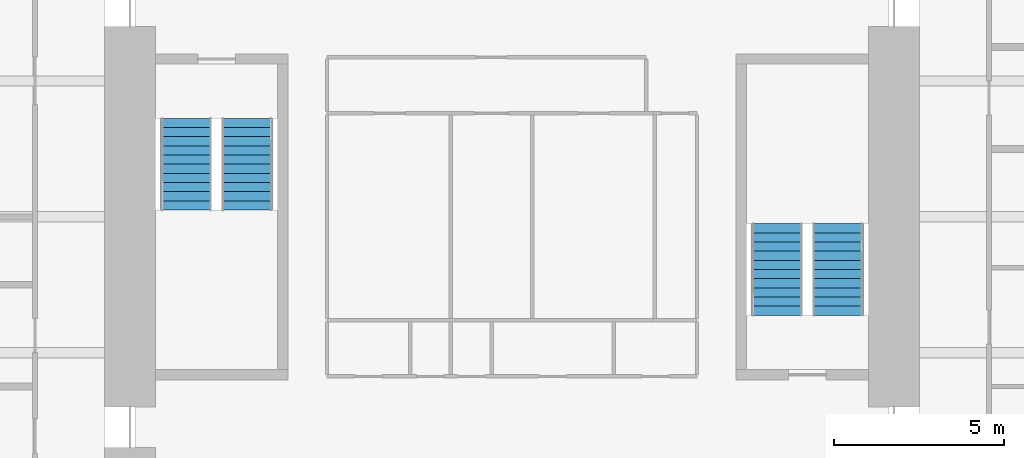
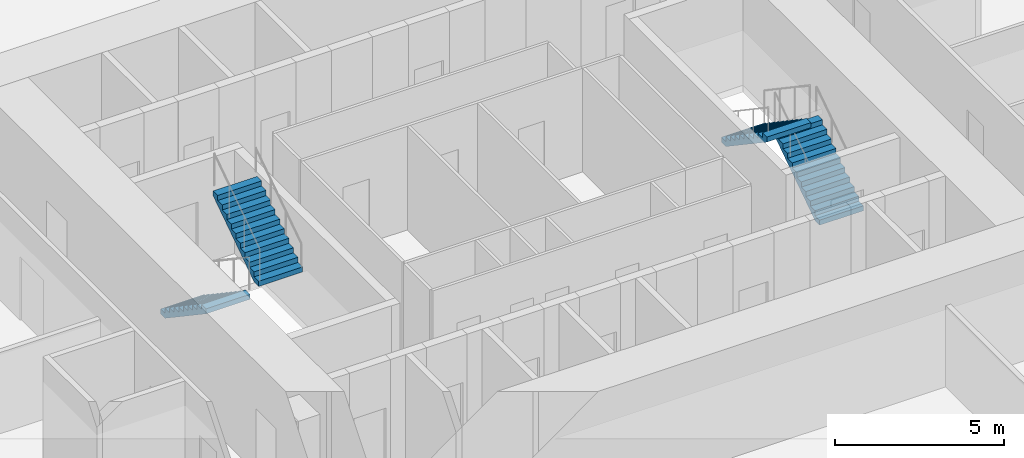
# One storey, part 14 of 15: 4 stair flights, 2 elements without a shape of their own.
"""IFC4 building model written with IfcOpenShell, lengths in metres."""

from ifc_helpers import new_model, si_unit, direction, frame, origin, place, context, subcontext, project, spatial, polyline, outline, extrude, material, type_object, element, aggregate, save


model = new_model("IFC4")

# Units and contexts
model_context = context("Model", 3, precision=1e-05, world=origin(), true_north=direction((0.0, 1.0)))
body_context = subcontext(model_context, "Body", "Model", "MODEL_VIEW")
ifc_project = project(units=[si_unit("LENGTHUNIT", "METRE"), si_unit("AREAUNIT", "SQUARE_METRE"), si_unit("VOLUMEUNIT", "CUBIC_METRE"), si_unit("PLANEANGLEUNIT", "RADIAN"), si_unit("MASSUNIT", "GRAM", prefix="KILO")], contexts=[model_context])

# Site, building, storey
site_placement = place(None, origin())
site = spatial("IfcSite", under=ifc_project, at=site_placement, CompositionType="ELEMENT")
building_placement = place(site_placement, origin())
building = spatial("IfcBuilding", under=site, at=building_placement, Name="Peilmerk Tower", CompositionType="ELEMENT")
storey_placement = place(building_placement, frame((0.0, 0.0, 293.800048828125)))
storey = spatial("IfcBuildingStorey", under=building, at=storey_placement, Name="L66", CompositionType="ELEMENT", Elevation=293.800048828125)

# Stair, stair flights
ifc_material = material(Name="Precast concrete C45/55", Category="concrete")
stair_type_1 = type_object("IfcStairType", Name="ST1 22 risers of 181.8", PredefinedType="HALF_TURN_STAIR", material=ifc_material)
stair_1_placement = place(storey_placement, origin())
stair_1 = element("IfcStair", 1, at=stair_1_placement, inside=storey, type_object=stair_type_1, Name="Stair 1 L66 to L67", PredefinedType="HALF_TURN_STAIR")
stair_flight_type = type_object("IfcStairFlightType", Name="SF11 flight, 11 risers of 181.8", PredefinedType="STRAIGHT", material=ifc_material)
stair_flight_1_placement = place(storey_placement, frame((-9.60009765625, 2.89990234375, 0.0), z_axis=(0.0, 0.0, 1.0), x_axis=(0.0, -1.0, 0.0)))
stair_flight_1 = element("IfcStairFlight", 2, at=stair_flight_1_placement, type_object=stair_flight_type, Name="ST1 flight 1", NumberOfRisers=11, NumberOfTreads=10, PredefinedType="STRAIGHT", RiserHeight=0.181818182, TreadLength=0.27, context=body_context, shape_type="SweptSolid", body=[
    extrude(outline(polyline([(0.0, 0.0), (0.0, 0.181884765625), (0.27001953125, 0.181884765625), (0.27001953125, 0.363525390625), (0.5400390625, 0.363525390625), (0.5400390625, 0.54541015625), (0.81005859375, 0.54541015625), (0.81005859375, 0.727294921875), (1.080078125, 0.727294921875), (1.080078125, 0.9091796875), (1.35009765625, 0.9091796875), (1.35009765625, 1.0908203125), (1.6201171875, 1.0908203125), (1.6201171875, 1.272705078125), (1.889892578125, 1.272705078125), (1.889892578125, 1.45458984375), (2.159912109375, 1.45458984375), (2.159912109375, 1.636474609375), (2.429931640625, 1.636474609375), (2.429931640625, 1.818115234375), (2.699951171875, 1.818115234375), (2.699951171875, 2.0), (2.699951171875, 1.637451171875), (0.268310546875, 0.0), (0.0, 0.0)])), frame((0.0, 0.75, 0.0), z_axis=(0.0, -1.0, 0.0), x_axis=(1.0, 0.0, 0.0)), (0.0, 0.0, 1.0), 1.5),
])
stair_flight_2_placement = place(storey_placement, frame((-7.800048828125, 0.199951171875, 2.0), z_axis=(0.0, 0.0, 1.0), x_axis=(0.0, 1.0, 0.0)))
stair_flight_2 = element("IfcStairFlight", 3, at=stair_flight_2_placement, type_object=stair_flight_type, Name="ST1 flight 2", NumberOfRisers=11, NumberOfTreads=10, PredefinedType="STRAIGHT", RiserHeight=0.181818182, TreadLength=0.27, context=body_context, shape_type="SweptSolid", body=[
    extrude(outline(polyline([(0.0, 0.0), (0.0, 0.181884765625), (0.27001953125, 0.181884765625), (0.27001953125, 0.363525390625), (0.5400390625, 0.363525390625), (0.5400390625, 0.54541015625), (0.81005859375, 0.54541015625), (0.81005859375, 0.727294921875), (1.080078125, 0.727294921875), (1.080078125, 0.9091796875), (1.35009765625, 0.9091796875), (1.35009765625, 1.0908203125), (1.6201171875, 1.0908203125), (1.6201171875, 1.272705078125), (1.889892578125, 1.272705078125), (1.889892578125, 1.45458984375), (2.159912109375, 1.45458984375), (2.159912109375, 1.636474609375), (2.429931640625, 1.636474609375), (2.429931640625, 1.818115234375), (2.699951171875, 1.818115234375), (2.699951171875, 2.0), (2.699951171875, 1.637451171875), (0.268310546875, 0.0), (0.0, 0.0)])), frame((0.0, 0.75, 0.0), z_axis=(0.0, -1.0, 0.0), x_axis=(1.0, 0.0, 0.0)), (0.0, 0.0, 1.0), 1.5),
])
aggregate(stair_1, [stair_flight_1, stair_flight_2])

stair_type_2 = type_object("IfcStairType", Name="ST2 22 risers of 181.8", PredefinedType="HALF_TURN_STAIR", material=ifc_material)
stair_2_placement = place(storey_placement, origin())
stair_2 = element("IfcStair", 4, at=stair_2_placement, inside=storey, type_object=stair_type_2, Name="Stair 2 L66 to L67", PredefinedType="HALF_TURN_STAIR")
stair_flight_3_placement = place(storey_placement, frame((9.60009765625, -2.89990234375, 0.0), z_axis=(0.0, 0.0, 1.0), x_axis=(0.0, 1.0, 0.0)))
stair_flight_3 = element("IfcStairFlight", 5, at=stair_flight_3_placement, type_object=stair_flight_type, Name="ST2 flight 1", NumberOfRisers=11, NumberOfTreads=10, PredefinedType="STRAIGHT", RiserHeight=0.181818182, TreadLength=0.27, context=body_context, shape_type="SweptSolid", body=[
    extrude(outline(polyline([(0.0, 0.0), (0.0, 0.181884765625), (0.27001953125, 0.181884765625), (0.27001953125, 0.363525390625), (0.5400390625, 0.363525390625), (0.5400390625, 0.54541015625), (0.81005859375, 0.54541015625), (0.81005859375, 0.727294921875), (1.080078125, 0.727294921875), (1.080078125, 0.9091796875), (1.35009765625, 0.9091796875), (1.35009765625, 1.0908203125), (1.6201171875, 1.0908203125), (1.6201171875, 1.272705078125), (1.889892578125, 1.272705078125), (1.889892578125, 1.45458984375), (2.159912109375, 1.45458984375), (2.159912109375, 1.636474609375), (2.429931640625, 1.636474609375), (2.429931640625, 1.818115234375), (2.699951171875, 1.818115234375), (2.699951171875, 2.0), (2.699951171875, 1.637451171875), (0.268310546875, 0.0), (0.0, 0.0)])), frame((0.0, 0.75, 0.0), z_axis=(0.0, -1.0, 0.0), x_axis=(1.0, 0.0, 0.0)), (0.0, 0.0, 1.0), 1.5),
])
stair_flight_4_placement = place(storey_placement, frame((7.800048828125, -0.199951171875, 2.0), z_axis=(0.0, 0.0, 1.0), x_axis=(0.0, -1.0, 0.0)))
stair_flight_4 = element("IfcStairFlight", 6, at=stair_flight_4_placement, type_object=stair_flight_type, Name="ST2 flight 2", NumberOfRisers=11, NumberOfTreads=10, PredefinedType="STRAIGHT", RiserHeight=0.181818182, TreadLength=0.27, context=body_context, shape_type="SweptSolid", body=[
    extrude(outline(polyline([(0.0, 0.0), (0.0, 0.181884765625), (0.27001953125, 0.181884765625), (0.27001953125, 0.363525390625), (0.5400390625, 0.363525390625), (0.5400390625, 0.54541015625), (0.81005859375, 0.54541015625), (0.81005859375, 0.727294921875), (1.080078125, 0.727294921875), (1.080078125, 0.9091796875), (1.35009765625, 0.9091796875), (1.35009765625, 1.0908203125), (1.6201171875, 1.0908203125), (1.6201171875, 1.272705078125), (1.889892578125, 1.272705078125), (1.889892578125, 1.45458984375), (2.159912109375, 1.45458984375), (2.159912109375, 1.636474609375), (2.429931640625, 1.636474609375), (2.429931640625, 1.818115234375), (2.699951171875, 1.818115234375), (2.699951171875, 2.0), (2.699951171875, 1.637451171875), (0.268310546875, 0.0), (0.0, 0.0)])), frame((0.0, 0.75, 0.0), z_axis=(0.0, -1.0, 0.0), x_axis=(1.0, 0.0, 0.0)), (0.0, 0.0, 1.0), 1.5),
])
aggregate(stair_2, [stair_flight_3, stair_flight_4])

save(model, "model.ifc")
